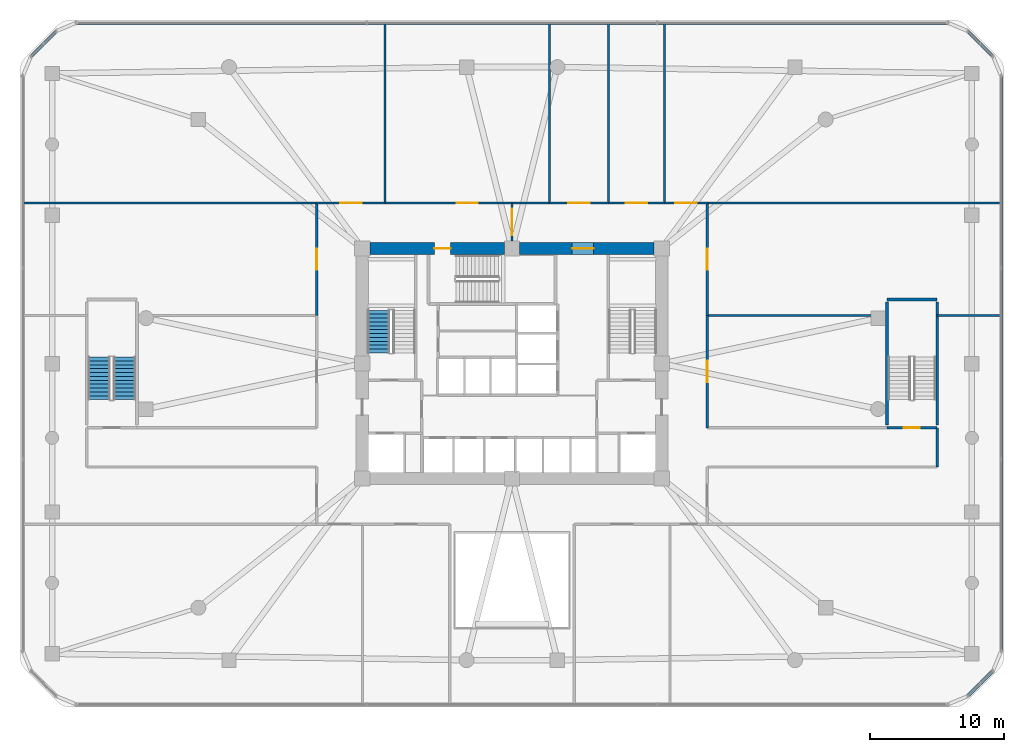
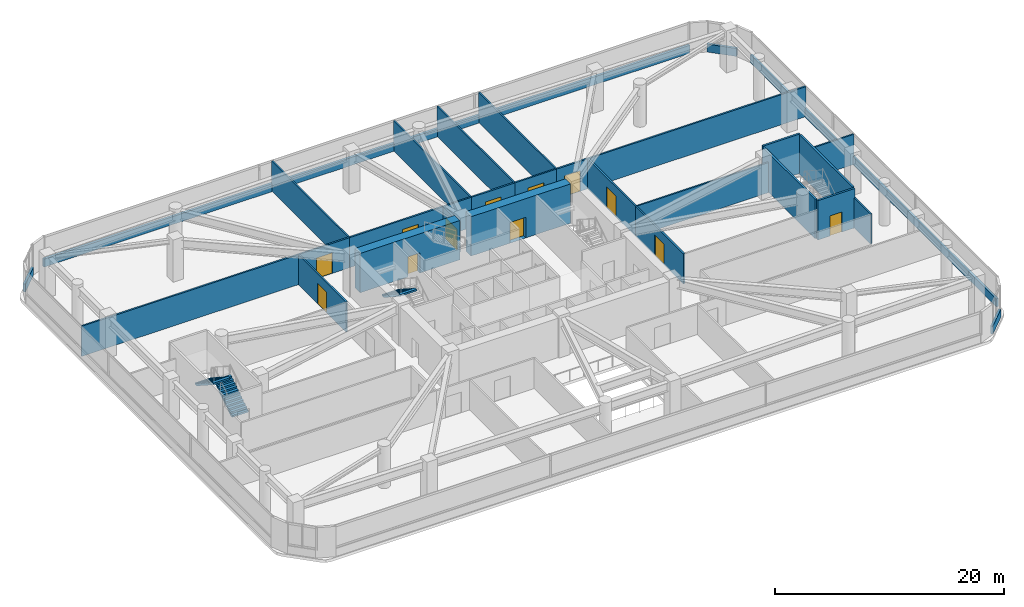
# One storey, part 18 of 21: 29 walls, 12 doors, 3 stair flights, 12 openings, 2 elements without a shape of their own.
"""IFC4 building model written with IfcOpenShell, lengths in metres."""

from ifc_helpers import new_model, si_unit, derived_unit, direction, frame, frame_2d, origin, place, context, subcontext, project, spatial, polyline, rectangle, outline, extrude, material, layer, layer_set, type_object, element, fill, aggregate, save


model = new_model("IFC4")

# Units and contexts
model_context = context("Model", 3, precision=1e-05, world=origin(), true_north=direction((0.0, 1.0)))
body_context = subcontext(model_context, "Body", "Model", "MODEL_VIEW")
ifc_project = project(units=[si_unit("LENGTHUNIT", "METRE"), si_unit("AREAUNIT", "SQUARE_METRE"), si_unit("VOLUMEUNIT", "CUBIC_METRE"), si_unit("PLANEANGLEUNIT", "RADIAN"), si_unit("MASSUNIT", "GRAM", prefix="KILO"), derived_unit("THERMALTRANSMITTANCEUNIT", [(si_unit("POWERUNIT", "WATT"), 1), (si_unit("LENGTHUNIT", "METRE"), -2), (si_unit("THERMODYNAMICTEMPERATUREUNIT", "KELVIN"), -1)])], contexts=[model_context])

# Site, building, storey
site_placement = place(None, origin())
site = spatial("IfcSite", under=ifc_project, at=site_placement, CompositionType="ELEMENT")
building_placement = place(site_placement, origin())
building = spatial("IfcBuilding", under=site, at=building_placement, Name="Koralith Skygarden Medical Center", CompositionType="ELEMENT")
storey_placement = place(building_placement, frame((0.0, 0.0, 5.39990234375)))
storey = spatial("IfcBuildingStorey", under=building, at=storey_placement, Name="L01", CompositionType="ELEMENT", Elevation=5.39990234375)

# Walls
ifc_material_1 = material(Name="Gypsum Board Partition")
ifc_layer_1 = layer(ifc_material_1, 0.14990234375)
ifc_layer_set_1 = layer_set([ifc_layer_1], Name="Gypsum Board Partition")
wall_type_1 = type_object("IfcWallType", Name="Clinical Acoustic Partition 150", PredefinedType="PARTITIONING", material=ifc_layer_set_1)
for number, where, z_axis, x_axis, name in (
    (1, (27.5, 37.909912109375, 0.0), (0.0, 0.0, 1.0), (0.0, 1.0, 0.0), "L01 Clinical Acoustic Partition 150 W-PDPART-L01-N-1"),
    (2, (39.800048828125, 37.909912109375, 0.0), (0.0, 0.0, 1.0), (0.0, 1.0, 0.0), "L01 Clinical Acoustic Partition 150 W-PDPART-L01-N-2"),
    (3, (44.199951171875, 37.909912109375, 0.0), (0.0, 0.0, 1.0), (0.0, 1.0, 0.0), "L01 Clinical Acoustic Partition 150 W-PDPART-L01-N-3"),
    (4, (48.39990234375, 37.909912109375, 0.0), (0.0, 0.0, 1.0), (0.0, 1.0, 0.0), "L01 Clinical Acoustic Partition 150 W-PDPART-L01-N-4"),
):
    element("IfcWall", number, at=place(storey_placement, frame(where, z_axis=z_axis, x_axis=x_axis)), inside=storey, type_object=wall_type_1, Name=name, PredefinedType="PARTITIONING", context=body_context, shape_type="SweptSolid", body=[
        extrude(rectangle(XDim=13.4501953125, YDim=0.14990234375, at=frame_2d((6.72509765625, 0.0))), origin(), (0.0, 0.0, 1.0), 3.210205078125),
    ])
wall_1_placement = place(storey_placement, frame((51.610107421875, 29.5, 0.0), z_axis=(0.0, 0.0, 1.0), x_axis=(1.0, 0.0, 0.0)))
element("IfcWall", 5, at=wall_1_placement, inside=storey, type_object=wall_type_1, Name="L01 Clinical Acoustic Partition 150 W-PDPART-L01-E-NA", PredefinedType="PARTITIONING", context=body_context, shape_type="SweptSolid", body=[
    extrude(rectangle(XDim=13.43994140625, YDim=0.14990234375, at=frame_2d((6.719970703125, 0.0))), origin(), (0.0, 0.0, 1.0), 3.210205078125),
])
wall_2_placement = place(storey_placement, frame((68.800048828125, 29.5, 0.0), z_axis=(0.0, 0.0, 1.0), x_axis=(1.0, 0.0, 0.0)))
element("IfcWall", 6, at=wall_2_placement, inside=storey, type_object=wall_type_1, Name="L01 Clinical Acoustic Partition 150 W-PDPART-L01-E-NB", PredefinedType="PARTITIONING", context=body_context, shape_type="SweptSolid", body=[
    extrude(rectangle(XDim=4.760009765625, YDim=0.14990234375, at=frame_2d((2.3798828125, 0.0))), origin(), (0.0, 0.0, 1.0), 3.210205078125),
])
ifc_layer_2 = layer(ifc_material_1, 0.1650390625)
ifc_layer_set_2 = layer_set([ifc_layer_2], Name="Gypsum Board Partition")
wall_type_2 = type_object("IfcWallType", Name="Clinical Corridor Partition 165", PredefinedType="PARTITIONING", material=ifc_layer_set_2)
for number, where, z_axis, x_axis, name in (
    (7, (0.43994140625, 37.909912109375, 0.0), (0.0, 0.0, 1.0), (1.0, 0.0, 0.0), "L01 Clinical Corridor Partition 165 W-WB-L01-NW"),
    (8, (51.610107421875, 37.909912109375, 0.0), (0.0, 0.0, 1.0), (1.0, 0.0, 0.0), "L01 Clinical Corridor Partition 165 W-WB-L01-NE"),
):
    element("IfcWall", number, at=place(storey_placement, frame(where, z_axis=z_axis, x_axis=x_axis)), inside=storey, type_object=wall_type_2, Name=name, PredefinedType="PARTITIONING", context=body_context, shape_type="SweptSolid", body=[
        extrude(rectangle(XDim=21.949951171875, YDim=0.1650390625, at=frame_2d((10.97509765625, 0.0))), origin(), (0.0, 0.0, 1.0), 3.210205078125),
    ])
wall_3_placement = place(storey_placement, frame((68.800048828125, 18.169921875, 0.0), z_axis=(0.0, 0.0, 1.0), x_axis=(0.0, 1.0, 0.0)))
element("IfcWall", 9, at=wall_3_placement, inside=storey, type_object=wall_type_2, Name="L01 Clinical Corridor Partition 165 W-PARM-L01-EE", PredefinedType="PARTITIONING", context=body_context, shape_type="SweptSolid", body=[
    extrude(rectangle(XDim=2.93017578125, YDim=0.1650390625, at=frame_2d((1.465087890625, 0.0))), origin(), (0.0, 0.0, 1.0), 3.210205078125),
])

# Wall, opening, door
wall_4_placement = place(storey_placement, frame((22.389892578125, 37.909912109375, 0.0), z_axis=(0.0, 0.0, 1.0), x_axis=(1.0, 0.0, 0.0)))
wall_4 = element("IfcWall", 10, at=wall_4_placement, inside=storey, type_object=wall_type_2, Name="L01 Clinical Corridor Partition 165 W-PDCOR-L01-N-1", PredefinedType="PARTITIONING", context=body_context, shape_type="SweptSolid", body=[
    extrude(rectangle(XDim=5.110107421875, YDim=0.1650390625, at=frame_2d((2.55517578125, 0.0))), origin(), (0.0, 0.0, 1.0), 3.210205078125),
])
opening_1_placement = place(wall_4_placement, frame((1.7548828125, 0.0, 0.0)))
opening_1 = element("IfcOpeningElement", 11, at=opening_1_placement, cuts=wall_4, Name="Opening D-DBL", PredefinedType="OPENING", context=body_context, shape_type="SweptSolid", body=[
    extrude(rectangle(XDim=1.60009765625, YDim=2.199951171875, at=frame_2d((0.800048828125, 1.10009765625))), frame((0.0, 0.092529296875, 0.0), z_axis=(0.0, -1.0, 0.0), x_axis=(1.0, 0.0, 0.0)), (0.0, 0.0, 1.0), 0.18505859375),
])
ifc_material_2 = material(Name="Aluminium 6063-T6", Category="aluminium")
door_type_1 = type_object("IfcDoorType", Name="Double Clinical Suite Door D-DBL 1600", OperationType="NOTDEFINED", PredefinedType="DOOR", material=ifc_material_2)
door_1_placement = place(opening_1_placement, origin())
door_1 = element("IfcDoor", 12, at=door_1_placement, inside=storey, type_object=door_type_1, Name="L01 Outpatient Cardiology Clinic Door", OperationType="DOUBLE_DOOR_SINGLE_SWING", OverallHeight=2.199951171875, OverallWidth=1.60009765625, PredefinedType="DOOR", context=body_context, shape_type="SweptSolid", body=[
    extrude(rectangle(XDim=1.60009765625, YDim=2.199951171875, at=frame_2d((0.800048828125, 1.10009765625))), frame((0.0, 0.02490234375, 0.0), z_axis=(0.0, -1.0, 0.0), x_axis=(1.0, 0.0, 0.0)), (0.0, 0.0, 1.0), 0.050048828125),
])
fill(opening_1, door_1)

wall_5_placement = place(storey_placement, frame((27.5, 37.909912109375, 0.0), z_axis=(0.0, 0.0, 1.0), x_axis=(1.0, 0.0, 0.0)))
wall_5 = element("IfcWall", 13, at=wall_5_placement, inside=storey, type_object=wall_type_2, Name="L01 Clinical Corridor Partition 165 W-PDCOR-L01-N-2", PredefinedType="PARTITIONING", context=body_context, shape_type="SweptSolid", body=[
    extrude(rectangle(XDim=12.300048828125, YDim=0.1650390625, at=frame_2d((6.14990234375, 0.0))), origin(), (0.0, 0.0, 1.0), 3.210205078125),
])
opening_2_placement = place(wall_5_placement, frame((5.35009765625, 0.0, 0.0)))
opening_2 = element("IfcOpeningElement", 14, at=opening_2_placement, cuts=wall_5, Name="Opening D-DBL", PredefinedType="OPENING", context=body_context, shape_type="SweptSolid", body=[
    extrude(rectangle(XDim=1.60009765625, YDim=2.199951171875, at=frame_2d((0.800048828125, 1.10009765625))), frame((0.0, 0.092529296875, 0.0), z_axis=(0.0, -1.0, 0.0), x_axis=(1.0, 0.0, 0.0)), (0.0, 0.0, 1.0), 0.18505859375),
])
door_2_placement = place(opening_2_placement, origin())
door_2 = element("IfcDoor", 15, at=door_2_placement, inside=storey, type_object=door_type_1, Name="L01 Specimen Phlebotomy Suite Door", OperationType="DOUBLE_DOOR_SINGLE_SWING", OverallHeight=2.199951171875, OverallWidth=1.60009765625, PredefinedType="DOOR", context=body_context, shape_type="SweptSolid", body=[
    extrude(rectangle(XDim=1.60009765625, YDim=2.199951171875, at=frame_2d((0.800048828125, 1.10009765625))), frame((0.0, 0.02490234375, 0.0), z_axis=(0.0, -1.0, 0.0), x_axis=(1.0, 0.0, 0.0)), (0.0, 0.0, 1.0), 0.050048828125),
])
fill(opening_2, door_2)

wall_6_placement = place(storey_placement, frame((39.800048828125, 37.909912109375, 0.0), z_axis=(0.0, 0.0, 1.0), x_axis=(1.0, 0.0, 0.0)))
wall_6 = element("IfcWall", 16, at=wall_6_placement, inside=storey, type_object=wall_type_2, Name="L01 Clinical Corridor Partition 165 W-PDCOR-L01-N-3", PredefinedType="PARTITIONING", context=body_context, shape_type="SweptSolid", body=[
    extrude(rectangle(XDim=4.39990234375, YDim=0.1650390625, at=frame_2d((2.199951171875, 0.0))), origin(), (0.0, 0.0, 1.0), 3.210205078125),
])
opening_3_placement = place(wall_6_placement, frame((1.39990234375, 0.0, 0.0)))
opening_3 = element("IfcOpeningElement", 17, at=opening_3_placement, cuts=wall_6, Name="Opening D-DBL", PredefinedType="OPENING", context=body_context, shape_type="SweptSolid", body=[
    extrude(rectangle(XDim=1.60009765625, YDim=2.199951171875, at=frame_2d((0.800048828125, 1.10009765625))), frame((0.0, 0.092529296875, 0.0), z_axis=(0.0, -1.0, 0.0), x_axis=(1.0, 0.0, 0.0)), (0.0, 0.0, 1.0), 0.18505859375),
])
door_3_placement = place(opening_3_placement, origin())
door_3 = element("IfcDoor", 18, at=door_3_placement, inside=storey, type_object=door_type_1, Name="L01 Public Accessible Restroom WC Door", OperationType="DOUBLE_DOOR_SINGLE_SWING", OverallHeight=2.199951171875, OverallWidth=1.60009765625, PredefinedType="DOOR", context=body_context, shape_type="SweptSolid", body=[
    extrude(rectangle(XDim=1.60009765625, YDim=2.199951171875, at=frame_2d((0.800048828125, 1.10009765625))), frame((0.0, 0.02490234375, 0.0), z_axis=(0.0, -1.0, 0.0), x_axis=(1.0, 0.0, 0.0)), (0.0, 0.0, 1.0), 0.050048828125),
])
fill(opening_3, door_3)

wall_7_placement = place(storey_placement, frame((44.199951171875, 37.909912109375, 0.0), z_axis=(0.0, 0.0, 1.0), x_axis=(1.0, 0.0, 0.0)))
wall_7 = element("IfcWall", 19, at=wall_7_placement, inside=storey, type_object=wall_type_2, Name="L01 Clinical Corridor Partition 165 W-PDCOR-L01-N-4", PredefinedType="PARTITIONING", context=body_context, shape_type="SweptSolid", body=[
    extrude(rectangle(XDim=4.199951171875, YDim=0.1650390625, at=frame_2d((2.10009765625, 0.0))), origin(), (0.0, 0.0, 1.0), 3.210205078125),
])
opening_4_placement = place(wall_7_placement, frame((1.300048828125, 0.0, 0.0)))
opening_4 = element("IfcOpeningElement", 20, at=opening_4_placement, cuts=wall_7, Name="Opening D-DBL", PredefinedType="OPENING", context=body_context, shape_type="SweptSolid", body=[
    extrude(rectangle(XDim=1.60009765625, YDim=2.199951171875, at=frame_2d((0.800048828125, 1.10009765625))), frame((0.0, 0.092529296875, 0.0), z_axis=(0.0, -1.0, 0.0), x_axis=(1.0, 0.0, 0.0)), (0.0, 0.0, 1.0), 0.18505859375),
])
door_4_placement = place(opening_4_placement, origin())
door_4 = element("IfcDoor", 21, at=door_4_placement, inside=storey, type_object=door_type_1, Name="L01 Clinical Pathology Laboratory Door", OperationType="DOUBLE_DOOR_SINGLE_SWING", OverallHeight=2.199951171875, OverallWidth=1.60009765625, PredefinedType="DOOR", context=body_context, shape_type="SweptSolid", body=[
    extrude(rectangle(XDim=1.60009765625, YDim=2.199951171875, at=frame_2d((0.800048828125, 1.10009765625))), frame((0.0, 0.02490234375, 0.0), z_axis=(0.0, -1.0, 0.0), x_axis=(1.0, 0.0, 0.0)), (0.0, 0.0, 1.0), 0.050048828125),
])
fill(opening_4, door_4)

wall_8_placement = place(storey_placement, frame((48.39990234375, 37.909912109375, 0.0), z_axis=(0.0, 0.0, 1.0), x_axis=(1.0, 0.0, 0.0)))
wall_8 = element("IfcWall", 22, at=wall_8_placement, inside=storey, type_object=wall_type_2, Name="L01 Clinical Corridor Partition 165 W-PDCOR-L01-N-5", PredefinedType="PARTITIONING", context=body_context, shape_type="SweptSolid", body=[
    extrude(rectangle(XDim=3.210205078125, YDim=0.1650390625, at=frame_2d((1.60498046875, 0.0))), origin(), (0.0, 0.0, 1.0), 3.210205078125),
])
opening_5_placement = place(wall_8_placement, frame((0.804931640625, 0.0, 0.0)))
opening_5 = element("IfcOpeningElement", 23, at=opening_5_placement, cuts=wall_8, Name="Opening D-DBL", PredefinedType="OPENING", context=body_context, shape_type="SweptSolid", body=[
    extrude(rectangle(XDim=1.60009765625, YDim=2.199951171875, at=frame_2d((0.800048828125, 1.10009765625))), frame((0.0, 0.092529296875, 0.0), z_axis=(0.0, -1.0, 0.0), x_axis=(1.0, 0.0, 0.0)), (0.0, 0.0, 1.0), 0.18505859375),
])
door_5_placement = place(opening_5_placement, origin())
door_5 = element("IfcDoor", 24, at=door_5_placement, inside=storey, type_object=door_type_1, Name="L01 Outpatient Rheumatology Clinic Hall Door", OperationType="DOUBLE_DOOR_SINGLE_SWING", OverallHeight=2.199951171875, OverallWidth=1.60009765625, PredefinedType="DOOR", context=body_context, shape_type="SweptSolid", body=[
    extrude(rectangle(XDim=1.60009765625, YDim=2.199951171875, at=frame_2d((0.800048828125, 1.10009765625))), frame((0.0, 0.02490234375, 0.0), z_axis=(0.0, -1.0, 0.0), x_axis=(1.0, 0.0, 0.0)), (0.0, 0.0, 1.0), 0.050048828125),
])
fill(opening_5, door_5)

wall_9_placement = place(storey_placement, frame((22.389892578125, 29.5, 0.0), z_axis=(0.0, 0.0, 1.0), x_axis=(0.0, 1.0, 0.0)))
wall_9 = element("IfcWall", 25, at=wall_9_placement, inside=storey, type_object=wall_type_2, Name="L01 Clinical Corridor Partition 165 W-PDCOR-L01-W-3", PredefinedType="PARTITIONING", context=body_context, shape_type="SweptSolid", body=[
    extrude(rectangle(XDim=8.409912109375, YDim=0.1650390625, at=frame_2d((4.205078125, 0.0))), origin(), (0.0, 0.0, 1.0), 3.210205078125),
])
opening_6_placement = place(wall_9_placement, frame((3.405029296875, 0.0, 0.0)))
opening_6 = element("IfcOpeningElement", 26, at=opening_6_placement, cuts=wall_9, Name="Opening D-DBL", PredefinedType="OPENING", context=body_context, shape_type="SweptSolid", body=[
    extrude(rectangle(XDim=1.60009765625, YDim=2.199951171875, at=frame_2d((0.800048828125, 1.10009765625))), frame((0.0, 0.092529296875, 0.0), z_axis=(0.0, -1.0, 0.0), x_axis=(1.0, 0.0, 0.0)), (0.0, 0.0, 1.0), 0.18505859375),
])
door_6_placement = place(opening_6_placement, frame((1.60009765625, 0.0, 0.0), z_axis=(0.0, 0.0, 1.0), x_axis=(-1.0, 0.0, 0.0)))
door_6 = element("IfcDoor", 27, at=door_6_placement, inside=storey, type_object=door_type_1, Name="L01 Outpatient Phlebotomy Prep Room Door", OperationType="DOUBLE_DOOR_SINGLE_SWING", OverallHeight=2.199951171875, OverallWidth=1.60009765625, PredefinedType="DOOR", context=body_context, shape_type="SweptSolid", body=[
    extrude(rectangle(XDim=1.60009765625, YDim=2.199951171875, at=frame_2d((0.800048828125, 1.10009765625))), frame((0.0, 0.02490234375, 0.0), z_axis=(0.0, -1.0, 0.0), x_axis=(1.0, 0.0, 0.0)), (0.0, 0.0, 1.0), 0.050048828125),
])
fill(opening_6, door_6)

wall_10_placement = place(storey_placement, frame((51.610107421875, 21.10009765625, 0.0), z_axis=(0.0, 0.0, 1.0), x_axis=(0.0, 1.0, 0.0)))
wall_10 = element("IfcWall", 28, at=wall_10_placement, inside=storey, type_object=wall_type_2, Name="L01 Clinical Corridor Partition 165 W-PDCOR-L01-E-2", PredefinedType="PARTITIONING", context=body_context, shape_type="SweptSolid", body=[
    extrude(rectangle(XDim=8.39990234375, YDim=0.1650390625, at=frame_2d((4.199951171875, 0.0))), origin(), (0.0, 0.0, 1.0), 3.210205078125),
])
opening_7_placement = place(wall_10_placement, frame((3.39990234375, 0.0, 0.0)))
opening_7 = element("IfcOpeningElement", 29, at=opening_7_placement, cuts=wall_10, Name="Opening D-DBL", PredefinedType="OPENING", context=body_context, shape_type="SweptSolid", body=[
    extrude(rectangle(XDim=1.60009765625, YDim=2.199951171875, at=frame_2d((0.800048828125, 1.10009765625))), frame((0.0, 0.092529296875, 0.0), z_axis=(0.0, -1.0, 0.0), x_axis=(1.0, 0.0, 0.0)), (0.0, 0.0, 1.0), 0.18505859375),
])
door_7_placement = place(opening_7_placement, origin())
door_7 = element("IfcDoor", 30, at=door_7_placement, inside=storey, type_object=door_type_1, Name="L01 Medical Records Administration Office Door", OperationType="DOUBLE_DOOR_SINGLE_SWING", OverallHeight=2.199951171875, OverallWidth=1.60009765625, PredefinedType="DOOR", context=body_context, shape_type="SweptSolid", body=[
    extrude(rectangle(XDim=1.60009765625, YDim=2.199951171875, at=frame_2d((0.800048828125, 1.10009765625))), frame((0.0, 0.02490234375, 0.0), z_axis=(0.0, -1.0, 0.0), x_axis=(1.0, 0.0, 0.0)), (0.0, 0.0, 1.0), 0.050048828125),
])
fill(opening_7, door_7)

wall_11_placement = place(storey_placement, frame((51.610107421875, 29.5, 0.0), z_axis=(0.0, 0.0, 1.0), x_axis=(0.0, 1.0, 0.0)))
wall_11 = element("IfcWall", 31, at=wall_11_placement, inside=storey, type_object=wall_type_2, Name="L01 Clinical Corridor Partition 165 W-PDCOR-L01-E-3", PredefinedType="PARTITIONING", context=body_context, shape_type="SweptSolid", body=[
    extrude(rectangle(XDim=8.409912109375, YDim=0.1650390625, at=frame_2d((4.205078125, 0.0))), origin(), (0.0, 0.0, 1.0), 3.210205078125),
])
opening_8_placement = place(wall_11_placement, frame((3.405029296875, 0.0, 0.0)))
opening_8 = element("IfcOpeningElement", 32, at=opening_8_placement, cuts=wall_11, Name="Opening D-DBL", PredefinedType="OPENING", context=body_context, shape_type="SweptSolid", body=[
    extrude(rectangle(XDim=1.60009765625, YDim=2.199951171875, at=frame_2d((0.800048828125, 1.10009765625))), frame((0.0, 0.092529296875, 0.0), z_axis=(0.0, -1.0, 0.0), x_axis=(1.0, 0.0, 0.0)), (0.0, 0.0, 1.0), 0.18505859375),
])
door_8_placement = place(opening_8_placement, origin())
door_8 = element("IfcDoor", 33, at=door_8_placement, inside=storey, type_object=door_type_1, Name="L01 Podium Staff Refreshment Lounge Door", OperationType="DOUBLE_DOOR_SINGLE_SWING", OverallHeight=2.199951171875, OverallWidth=1.60009765625, PredefinedType="DOOR", context=body_context, shape_type="SweptSolid", body=[
    extrude(rectangle(XDim=1.60009765625, YDim=2.199951171875, at=frame_2d((0.800048828125, 1.10009765625))), frame((0.0, 0.02490234375, 0.0), z_axis=(0.0, -1.0, 0.0), x_axis=(1.0, 0.0, 0.0)), (0.0, 0.0, 1.0), 0.050048828125),
])
fill(opening_8, door_8)

ifc_layer_3 = layer(ifc_material_1, 0.179931640625)
ifc_layer_set_3 = layer_set([ifc_layer_3], Name="Gypsum Board Partition")
wall_type_3 = type_object("IfcWallType", Name="Group I-2 Smoke Barrier Wall 180", PredefinedType="PARTITIONING", material=ifc_layer_set_3)
wall_12_placement = place(storey_placement, frame((37.0, 35.080078125, 0.0), z_axis=(0.0, 0.0, 1.0), x_axis=(0.0, 1.0, 0.0)))
wall_12 = element("IfcWall", 34, at=wall_12_placement, inside=storey, type_object=wall_type_3, Name="L01 Group I-2 Smoke Barrier Wall 180 W-PSMK-L01-N", PredefinedType="PARTITIONING", context=body_context, shape_type="SweptSolid", body=[
    extrude(rectangle(XDim=2.829833984375, YDim=0.179931640625, at=frame_2d((1.4150390625, 0.0))), origin(), (0.0, 0.0, 1.0), 3.210205078125),
])
opening_9_placement = place(wall_12_placement, frame((0.4150390625, 0.0, 0.0)))
opening_9 = element("IfcOpeningElement", 35, at=opening_9_placement, cuts=wall_12, Name="Opening D-SMK", PredefinedType="OPENING", context=body_context, shape_type="SweptSolid", body=[
    extrude(rectangle(XDim=2.0, YDim=2.199951171875, at=frame_2d((1.0, 1.10009765625))), frame((0.0, 0.099853515625, 0.0), z_axis=(0.0, -1.0, 0.0), x_axis=(1.0, 0.0, 0.0)), (0.0, 0.0, 1.0), 0.199951171875),
])
ifc_material_3 = material(Name="Steel ASTM A500 Grade C", Category="steel")
door_type_2 = type_object("IfcDoorType", Name="Cross-Corridor Double Smoke Door FD60S 2000", OperationType="NOTDEFINED", PredefinedType="DOOR", material=ifc_material_3)
door_9_placement = place(opening_9_placement, origin())
door_9 = element("IfcDoor", 36, at=door_9_placement, inside=storey, type_object=door_type_2, Name="L01 N Podium Smoke Door", OperationType="DOUBLE_DOOR_SINGLE_SWING", OverallHeight=2.199951171875, OverallWidth=2.0, PredefinedType="DOOR", context=body_context, shape_type="SweptSolid", body=[
    extrude(rectangle(XDim=2.0, YDim=2.199951171875, at=frame_2d((1.0, 1.10009765625))), frame((0.0, 0.02490234375, 0.0), z_axis=(0.0, -1.0, 0.0), x_axis=(1.0, 0.0, 0.0)), (0.0, 0.0, 1.0), 0.050048828125),
])
fill(opening_9, door_9)

# Walls
ifc_material_4 = material(Name="Warm Oolitic Limestone Cladding", Category="masonry")
ifc_layer_4 = layer(ifc_material_4, 0.239990234375)
ifc_layer_set_4 = layer_set([ifc_layer_4], Name="Warm Oolitic Limestone Cladding")
wall_type_4 = type_object("IfcWallType", Name="Limestone Spandrel Sill Backup Wall 240", PredefinedType="SOLIDWALL", material=ifc_layer_set_4)
wall_13_placement = place(storey_placement, frame((71.072021484375, 1.02099609375, 0.0), z_axis=(0.0, 0.0, 1.0), x_axis=(0.707106781187, 0.707106781187, 0.0)))
element("IfcWall", 37, at=wall_13_placement, inside=storey, type_object=wall_type_4, Name="L01 Sill Spandrel Wall SE", PredefinedType="SOLIDWALL", context=body_context, shape_type="SweptSolid", body=[
    extrude(rectangle(XDim=2.69677734375, YDim=0.239990234375, at=frame_2d((1.348388671875, 0.0))), origin(), (0.0, 0.0, 1.0), 0.85009765625),
])
wall_14_placement = place(storey_placement, frame((73.580078125, 4.37890625, 0.0), z_axis=(0.0, 0.0, 1.0), x_axis=(0.0, 1.0, 0.0)))
element("IfcWall", 38, at=wall_14_placement, inside=storey, type_object=wall_type_4, Name="L01 Sill Spandrel Wall E", PredefinedType="SOLIDWALL", context=body_context, shape_type="SweptSolid", body=[
    extrude(rectangle(XDim=43.0419921875, YDim=0.239990234375, at=frame_2d((21.52099609375, 0.0))), origin(), (0.0, 0.0, 1.0), 0.85009765625),
])
wall_15_placement = place(storey_placement, frame((72.97900390625, 48.8720703125, 0.0), z_axis=(0.0, 0.0, 1.0), x_axis=(-0.707106781187, 0.707106781187, 0.0)))
element("IfcWall", 39, at=wall_15_placement, inside=storey, type_object=wall_type_4, Name="L01 Sill Spandrel Wall NE", PredefinedType="SOLIDWALL", context=body_context, shape_type="SweptSolid", body=[
    extrude(rectangle(XDim=2.69677734375, YDim=0.239990234375, at=frame_2d((1.348388671875, 0.0))), origin(), (0.0, 0.0, 1.0), 0.85009765625),
])
wall_16_placement = place(storey_placement, frame((69.62109375, 51.3798828125, 0.0), z_axis=(0.0, 0.0, 1.0), x_axis=(-1.0, 0.0, 0.0)))
element("IfcWall", 40, at=wall_16_placement, inside=storey, type_object=wall_type_4, Name="L01 Sill Spandrel Wall N", PredefinedType="SOLIDWALL", context=body_context, shape_type="SweptSolid", body=[
    extrude(rectangle(XDim=65.2421875, YDim=0.239990234375, at=frame_2d((32.62109375, 0.0))), origin(), (0.0, 0.0, 1.0), 0.85009765625),
])
wall_17_placement = place(storey_placement, frame((2.927978515625, 50.779052734375, 0.0), z_axis=(0.0, 0.0, 1.0), x_axis=(-0.707106781187, -0.707106781187, 0.0)))
element("IfcWall", 41, at=wall_17_placement, inside=storey, type_object=wall_type_4, Name="L01 Sill Spandrel Wall NW", PredefinedType="SOLIDWALL", context=body_context, shape_type="SweptSolid", body=[
    extrude(rectangle(XDim=2.69677734375, YDim=0.239990234375, at=frame_2d((1.348388671875, 0.0))), origin(), (0.0, 0.0, 1.0), 0.85009765625),
])

# Wall, opening, door
ifc_material_5 = material(Name="Concrete C70/85", Category="concrete")
ifc_layer_5 = layer(ifc_material_5, 0.89990234375)
ifc_layer_set_5 = layer_set([ifc_layer_5], Name="Concrete C70/85")
wall_type_5 = type_object("IfcWallType", Name="Lower Core Shear Wall 900", PredefinedType="SHEAR", material=ifc_layer_set_5)
wall_18_placement = place(storey_placement, frame((47.635009765625, 34.5, 0.0), z_axis=(0.0, 0.0, 1.0), x_axis=(-1.0, 0.0, 0.0)))
wall_18 = element("IfcWall", 42, at=wall_18_placement, inside=storey, type_object=wall_type_5, Name="L01 Core Shear Wall Segment 5", PredefinedType="SHEAR", context=body_context, shape_type="SweptSolid", body=[
    extrude(rectangle(XDim=10.070068359375, YDim=0.89990234375, at=frame_2d((5.03515625, 0.0))), origin(), (0.0, 0.0, 1.0), 4.2001953125),
])
opening_10_placement = place(wall_18_placement, frame((4.534912109375, 0.0, 0.0)))
opening_10 = element("IfcOpeningElement", 43, at=opening_10_placement, cuts=wall_18, Name="Opening D-DBL", PredefinedType="OPENING", context=body_context, shape_type="SweptSolid", body=[
    extrude(rectangle(XDim=1.60009765625, YDim=2.199951171875, at=frame_2d((0.800048828125, 1.10009765625))), frame((0.0, 0.4599609375, 0.0), z_axis=(0.0, -1.0, 0.0), x_axis=(1.0, 0.0, 0.0)), (0.0, 0.0, 1.0), 0.919921875),
])
door_10_placement = place(opening_10_placement, frame((1.60009765625, 0.0, 0.0), z_axis=(0.0, 0.0, 1.0), x_axis=(-1.0, 0.0, 0.0)))
door_10 = element("IfcDoor", 44, at=door_10_placement, inside=storey, type_object=door_type_1, Name="L01 North-East Corridor to Elevator Lobby Door", OperationType="DOUBLE_DOOR_SINGLE_SWING", OverallHeight=2.199951171875, OverallWidth=1.60009765625, PredefinedType="DOOR", context=body_context, shape_type="SweptSolid", body=[
    extrude(rectangle(XDim=1.60009765625, YDim=2.199951171875, at=frame_2d((0.800048828125, 1.10009765625))), frame((0.0, 0.02490234375, 0.0), z_axis=(0.0, -1.0, 0.0), x_axis=(1.0, 0.0, 0.0)), (0.0, 0.0, 1.0), 0.050048828125),
])
fill(opening_10, door_10)

wall_19_placement = place(storey_placement, frame((36.43505859375, 34.5, 0.0), z_axis=(0.0, 0.0, 1.0), x_axis=(-1.0, 0.0, 0.0)))
wall_19 = element("IfcWall", 45, at=wall_19_placement, inside=storey, type_object=wall_type_5, Name="L01 Core Shear Wall Segment 6", PredefinedType="SHEAR", context=body_context, shape_type="SweptSolid", body=[
    extrude(rectangle(XDim=10.070068359375, YDim=0.89990234375, at=frame_2d((5.03515625, 0.0))), origin(), (0.0, 0.0, 1.0), 4.2001953125),
])
opening_11_placement = place(wall_19_placement, frame((4.034912109375, 0.0, 0.0)))
opening_11 = element("IfcOpeningElement", 46, at=opening_11_placement, cuts=wall_19, Name="Opening D-ST60", PredefinedType="OPENING", context=body_context, shape_type="SweptSolid", body=[
    extrude(rectangle(XDim=1.199951171875, YDim=2.14990234375, at=frame_2d((0.60009765625, 1.074951171875))), frame((0.0, 0.4599609375, 0.0), z_axis=(0.0, -1.0, 0.0), x_axis=(1.0, 0.0, 0.0)), (0.0, 0.0, 1.0), 0.919921875),
])
door_type_3 = type_object("IfcDoorType", Name="Smokeproof Stair Fire Door FD60S 1200", OperationType="NOTDEFINED", PredefinedType="DOOR", material=ifc_material_3)
door_11_placement = place(opening_11_placement, frame((1.199951171875, 0.0, 0.0), z_axis=(0.0, 0.0, 1.0), x_axis=(-1.0, 0.0, 0.0)))
door_11 = element("IfcDoor", 47, at=door_11_placement, inside=storey, type_object=door_type_3, Name="L01 Exit Stair ST3 Fire Door", OperationType="SINGLE_SWING_LEFT", OverallHeight=2.14990234375, OverallWidth=1.199951171875, PredefinedType="DOOR", context=body_context, shape_type="SweptSolid", body=[
    extrude(rectangle(XDim=1.199951171875, YDim=2.14990234375, at=frame_2d((0.60009765625, 1.074951171875))), frame((0.0, 0.02490234375, 0.0), z_axis=(0.0, -1.0, 0.0), x_axis=(1.0, 0.0, 0.0)), (0.0, 0.0, 1.0), 0.050048828125),
])
fill(opening_11, door_11)

ifc_material_6 = material(Name="Concrete C45/55", Category="concrete")
ifc_layer_6 = layer(ifc_material_6, 0.199951171875)
ifc_layer_set_6 = layer_set([ifc_layer_6], Name="Concrete C45/55")
wall_type_6 = type_object("IfcWallType", Name="Structural Stair Shaft Wall 200", PredefinedType="SHEAR", material=ifc_layer_set_6)
wall_20_placement = place(storey_placement, frame((65.050048828125, 21.10009765625, 0.0), z_axis=(0.0, 0.0, 1.0), x_axis=(1.0, 0.0, 0.0)))
wall_20 = element("IfcWall", 48, at=wall_20_placement, inside=storey, type_object=wall_type_6, Name="L01 Structural Stair Shaft Wall 200 W-ST5-L01-S", PredefinedType="SHEAR", context=body_context, shape_type="SweptSolid", body=[
    extrude(rectangle(XDim=3.75, YDim=0.199951171875, at=frame_2d((1.875, 0.0))), origin(), (0.0, 0.0, 1.0), 4.2001953125),
])
opening_12_placement = place(wall_20_placement, frame((1.25, 0.0, 0.0)))
opening_12 = element("IfcOpeningElement", 49, at=opening_12_placement, cuts=wall_20, Name="Opening D-ST60", PredefinedType="OPENING", context=body_context, shape_type="SweptSolid", body=[
    extrude(rectangle(XDim=1.199951171875, YDim=2.14990234375, at=frame_2d((0.60009765625, 1.074951171875))), frame((0.0, 0.10986328125, 0.0), z_axis=(0.0, -1.0, 0.0), x_axis=(1.0, 0.0, 0.0)), (0.0, 0.0, 1.0), 0.219970703125),
])
door_12_placement = place(opening_12_placement, origin())
door_12 = element("IfcDoor", 50, at=door_12_placement, inside=storey, type_object=door_type_3, Name="L01 Exit Stair ST5 Fire Door", OperationType="SINGLE_SWING_RIGHT", OverallHeight=2.14990234375, OverallWidth=1.199951171875, PredefinedType="DOOR", context=body_context, shape_type="SweptSolid", body=[
    extrude(rectangle(XDim=1.199951171875, YDim=2.14990234375, at=frame_2d((0.60009765625, 1.074951171875))), frame((0.0, 0.02490234375, 0.0), z_axis=(0.0, -1.0, 0.0), x_axis=(1.0, 0.0, 0.0)), (0.0, 0.0, 1.0), 0.050048828125),
])
fill(opening_12, door_12)

# Walls
wall_21_placement = place(storey_placement, frame((65.050048828125, 30.699951171875, 0.0), z_axis=(0.0, 0.0, 1.0), x_axis=(1.0, 0.0, 0.0)))
element("IfcWall", 51, at=wall_21_placement, inside=storey, type_object=wall_type_6, Name="L01 Structural Stair Shaft Wall 200 W-ST5-L01-N", PredefinedType="SHEAR", context=body_context, shape_type="SweptSolid", body=[
    extrude(rectangle(XDim=3.75, YDim=0.199951171875, at=frame_2d((1.875, 0.0))), origin(), (0.0, 0.0, 1.0), 4.2001953125),
])
for number, where, z_axis, x_axis, name in (
    (52, (65.050048828125, 21.300048828125, 0.0), (0.0, 0.0, 1.0), (0.0, 1.0, 0.0), "L01 Structural Stair Shaft Wall 200 W-ST5-L01-W"),
    (53, (68.800048828125, 21.300048828125, 0.0), (0.0, 0.0, 1.0), (0.0, 1.0, 0.0), "L01 Structural Stair Shaft Wall 200 W-ST5-L01-E"),
):
    element("IfcWall", number, at=place(storey_placement, frame(where, z_axis=z_axis, x_axis=x_axis)), inside=storey, type_object=wall_type_6, Name=name, PredefinedType="SHEAR", context=body_context, shape_type="SweptSolid", body=[
        extrude(rectangle(XDim=9.199951171875, YDim=0.199951171875, at=frame_2d((4.60009765625, 0.0))), origin(), (0.0, 0.0, 1.0), 4.2001953125),
    ])

# Stair, stair flight
stair_type = type_object("IfcStairType", Name="Core Exit Dogleg Concrete Stair", PredefinedType="HALF_TURN_STAIR", material=ifc_material_6)
stair_1_placement = place(storey_placement, origin())
stair_1 = element("IfcStair", 54, at=stair_1_placement, inside=storey, type_object=stair_type, Name="L01 Smokeproof Exit Stair ST1", PredefinedType="HALF_TURN_STAIR")
stair_flight_type = type_object("IfcStairFlightType", Name="Core Exit Concrete Stair Flight 1650", PredefinedType="STRAIGHT", material=ifc_material_6)
stair_flight_1_placement = place(storey_placement, frame((27.02490234375, 29.889892578125, 2.25), z_axis=(0.0, 0.0, 1.0), x_axis=(0.0, -1.0, 0.0)))
stair_flight_1 = element("IfcStairFlight", 55, at=stair_flight_1_placement, type_object=stair_flight_type, Name="ST1 flight 2", NumberOfRisers=12, NumberOfTreads=11, PredefinedType="STRAIGHT", RiserHeight=0.1875, TreadLength=0.29, context=body_context, shape_type="SweptSolid", body=[
    extrude(outline(polyline([(0.0, 0.0), (0.0, 0.1875), (0.2900390625, 0.1875), (0.2900390625, 0.375), (0.580078125, 0.375), (0.580078125, 0.5625), (0.8701171875, 0.5625), (0.8701171875, 0.75), (1.159912109375, 0.75), (1.159912109375, 0.9375), (1.449951171875, 0.9375), (1.449951171875, 1.125), (1.739990234375, 1.125), (1.739990234375, 1.3125), (2.030029296875, 1.3125), (2.030029296875, 1.5), (2.320068359375, 1.5), (2.320068359375, 1.6875), (2.610107421875, 1.6875), (2.610107421875, 1.875), (2.89990234375, 1.875), (2.89990234375, 2.0625), (3.18994140625, 2.0625), (3.18994140625, 2.25), (3.18994140625, 1.884033203125), (0.276123046875, 0.0), (0.0, 0.0)])), frame((0.0, 0.824951171875, 0.0), z_axis=(0.0, -1.0, 0.0), x_axis=(1.0, 0.0, 0.0)), (0.0, 0.0, 1.0), 1.64990234375),
])
aggregate(stair_1, [stair_flight_1])

# Stair, stair flights
stair_2_placement = place(storey_placement, origin())
stair_2 = element("IfcStair", 56, at=stair_2_placement, inside=storey, type_object=stair_type, Name="L01 Podium Smokeproof Exit Stair ST4", PredefinedType="HALF_TURN_STAIR")
stair_flight_2_placement = place(storey_placement, frame((8.02490234375, 23.199951171875, 0.0), z_axis=(0.0, 0.0, 1.0), x_axis=(0.0, 1.0, 0.0)))
stair_flight_2 = element("IfcStairFlight", 57, at=stair_flight_2_placement, type_object=stair_flight_type, Name="ST4 flight 1", NumberOfRisers=12, NumberOfTreads=11, PredefinedType="STRAIGHT", RiserHeight=0.1875, TreadLength=0.29, context=body_context, shape_type="SweptSolid", body=[
    extrude(outline(polyline([(0.0, 0.0), (0.0, 0.1875), (0.2900390625, 0.1875), (0.2900390625, 0.375), (0.580078125, 0.375), (0.580078125, 0.5625), (0.8701171875, 0.5625), (0.8701171875, 0.75), (1.159912109375, 0.75), (1.159912109375, 0.9375), (1.449951171875, 0.9375), (1.449951171875, 1.125), (1.739990234375, 1.125), (1.739990234375, 1.3125), (2.030029296875, 1.3125), (2.030029296875, 1.5), (2.320068359375, 1.5), (2.320068359375, 1.6875), (2.610107421875, 1.6875), (2.610107421875, 1.875), (2.89990234375, 1.875), (2.89990234375, 2.0625), (3.18994140625, 2.0625), (3.18994140625, 2.25), (3.18994140625, 1.884033203125), (0.276123046875, 0.0), (0.0, 0.0)])), frame((0.0, 0.824951171875, 0.0), z_axis=(0.0, -1.0, 0.0), x_axis=(1.0, 0.0, 0.0)), (0.0, 0.0, 1.0), 1.64990234375),
])
stair_flight_3_placement = place(storey_placement, frame((6.125, 26.389892578125, 2.25), z_axis=(0.0, 0.0, 1.0), x_axis=(0.0, -1.0, 0.0)))
stair_flight_3 = element("IfcStairFlight", 58, at=stair_flight_3_placement, type_object=stair_flight_type, Name="ST4 flight 2", NumberOfRisers=12, NumberOfTreads=11, PredefinedType="STRAIGHT", RiserHeight=0.1875, TreadLength=0.29, context=body_context, shape_type="SweptSolid", body=[
    extrude(outline(polyline([(0.0, 0.0), (0.0, 0.1875), (0.2900390625, 0.1875), (0.2900390625, 0.375), (0.580078125, 0.375), (0.580078125, 0.5625), (0.8701171875, 0.5625), (0.8701171875, 0.75), (1.159912109375, 0.75), (1.159912109375, 0.9375), (1.449951171875, 0.9375), (1.449951171875, 1.125), (1.739990234375, 1.125), (1.739990234375, 1.3125), (2.030029296875, 1.3125), (2.030029296875, 1.5), (2.320068359375, 1.5), (2.320068359375, 1.6875), (2.610107421875, 1.6875), (2.610107421875, 1.875), (2.89990234375, 1.875), (2.89990234375, 2.0625), (3.18994140625, 2.0625), (3.18994140625, 2.25), (3.18994140625, 1.884033203125), (0.276123046875, 0.0), (0.0, 0.0)])), frame((0.0, 0.824951171875, 0.0), z_axis=(0.0, -1.0, 0.0), x_axis=(1.0, 0.0, 0.0)), (0.0, 0.0, 1.0), 1.64990234375),
])
aggregate(stair_2, [stair_flight_2, stair_flight_3])

save(model, "model.ifc")
